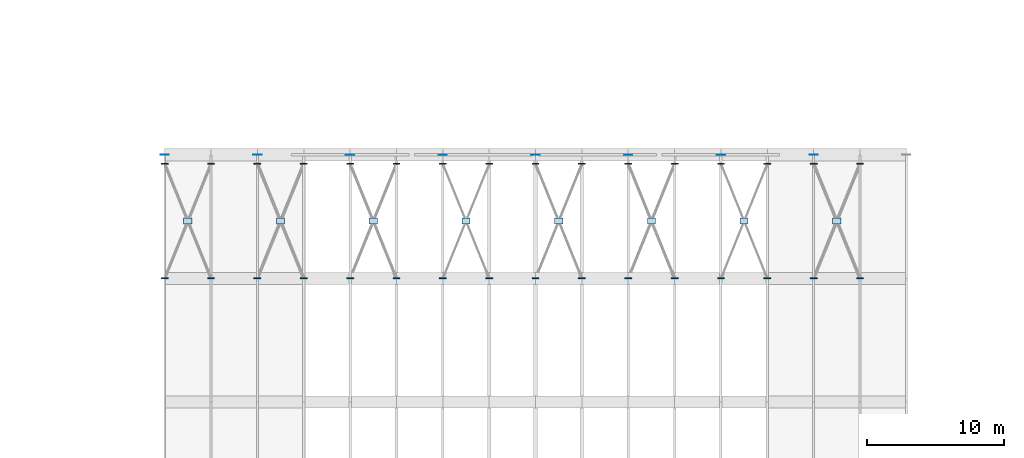
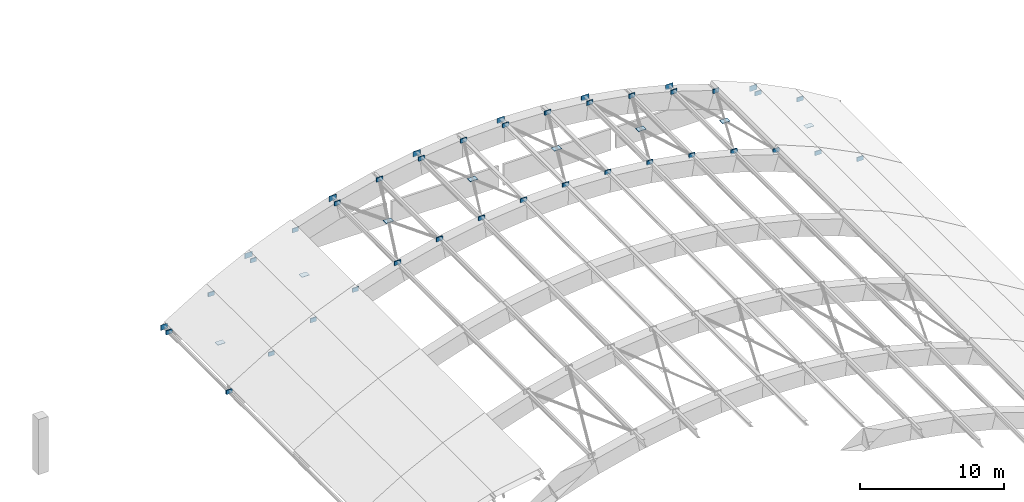
# One storey, part 21 of 30: 48 plates.
"""IFC4 building model written with IfcOpenShell, lengths in metres."""

from ifc_helpers import new_model, si_unit, direction, frame, origin, origin_2d, place, context, subcontext, project, spatial, rectangle, extrude, material, layer, layer_set, type_object, element, save


model = new_model("IFC4")

# Units and contexts
model_context = context("Model", 3, precision=1e-05, world=origin(), true_north=direction((0.0, 1.0)))
body_context = subcontext(model_context, "Body", "Model", "MODEL_VIEW")
ifc_project = project(units=[si_unit("LENGTHUNIT", "METRE"), si_unit("AREAUNIT", "SQUARE_METRE"), si_unit("VOLUMEUNIT", "CUBIC_METRE"), si_unit("PLANEANGLEUNIT", "RADIAN"), si_unit("MASSUNIT", "GRAM", prefix="KILO")], contexts=[model_context])

# Site, building, storey
site_placement = place(None, origin())
site = spatial("IfcSite", under=ifc_project, at=site_placement, CompositionType="ELEMENT")
building_placement = place(site_placement, origin())
building = spatial("IfcBuilding", under=site, at=building_placement, Name="Ornek Quay Market", CompositionType="ELEMENT")
storey_placement = place(building_placement, frame((0.0, 0.0, 12.0)))
storey = spatial("IfcBuildingStorey", under=building, at=storey_placement, Name="L03", CompositionType="ELEMENT", Elevation=12.0)

# Plates
ifc_material = material(Name="Steel S355", Category="steel")
ifc_layer_1 = layer(ifc_material, 0.02001953125, Name="Steel S355", Category="steel")
ifc_layer_set_1 = layer_set([ifc_layer_1], Name="Steel S355")
plate_type_1 = type_object("IfcPlateType", Name="PL-FLG-500x350x20", PredefinedType="USERDEFINED", material=ifc_layer_set_1)
for number, where, z_axis, x_axis, name in (
    (1, (63.0, 83.0, -3.054931640625), (0.0, 0.0, 1.0), (1.0, 0.0, 0.0), "Vault brace end connection plate CP-7011"),
    (2, (66.375, 91.35009765625, -1.01953125), (0.0, 0.0, 1.0), (1.0, 0.0, 0.0), "Vault brace end connection plate CP-7012"),
    (3, (66.375, 83.0, -1.01953125), (0.0, 0.0, 1.0), (1.0, 0.0, 0.0), "Vault brace end connection plate CP-7013"),
    (4, (63.0, 91.35009765625, -3.054931640625), (0.0, 0.0, 1.0), (1.0, 0.0, 0.0), "Vault brace end connection plate CP-7014"),
    (5, (69.75, 83.0, 0.669677734375), (0.0, 0.0, 1.0), (1.0, 0.0, 0.0), "Vault brace end connection plate CP-7031"),
    (6, (73.125, 91.35009765625, 2.05078125), (0.0, 0.0, 1.0), (1.0, 0.0, 0.0), "Vault brace end connection plate CP-7032"),
    (7, (73.125, 83.0, 2.05078125), (0.0, 0.0, 1.0), (1.0, 0.0, 0.0), "Vault brace end connection plate CP-7033"),
    (8, (69.75, 91.35009765625, 0.669677734375), (0.0, 0.0, 1.0), (1.0, 0.0, 0.0), "Vault brace end connection plate CP-7034"),
    (9, (76.5, 83.0, 3.150634765625), (0.0, 0.0, 1.0), (1.0, 0.0, 0.0), "Vault brace end connection plate CP-7051"),
    (10, (79.875, 91.35009765625, 3.988525390625), (0.0, 0.0, 1.0), (1.0, 0.0, 0.0), "Vault brace end connection plate CP-7052"),
    (11, (79.875, 83.0, 3.988525390625), (0.0, 0.0, 1.0), (1.0, 0.0, 0.0), "Vault brace end connection plate CP-7053"),
    (12, (76.5, 91.35009765625, 3.150634765625), (0.0, 0.0, 1.0), (1.0, 0.0, 0.0), "Vault brace end connection plate CP-7054"),
    (13, (83.25, 83.0, 4.578369140625), (0.0, 0.0, 1.0), (1.0, 0.0, 0.0), "Vault brace end connection plate CP-7071"),
    (14, (86.625, 91.35009765625, 4.9287109375), (0.0, 0.0, 1.0), (1.0, 0.0, 0.0), "Vault brace end connection plate CP-7072"),
    (15, (86.625, 83.0, 4.9287109375), (0.0, 0.0, 1.0), (1.0, 0.0, 0.0), "Vault brace end connection plate CP-7073"),
    (16, (83.25, 91.35009765625, 4.578369140625), (0.0, 0.0, 1.0), (1.0, 0.0, 0.0), "Vault brace end connection plate CP-7074"),
    (17, (90.0, 83.0, 5.044921875), (0.0, 0.0, 1.0), (1.0, 0.0, 0.0), "Vault brace end connection plate CP-7091"),
    (18, (93.375, 91.35009765625, 4.9287109375), (0.0, 0.0, 1.0), (1.0, 0.0, 0.0), "Vault brace end connection plate CP-7092"),
    (19, (93.375, 83.0, 4.9287109375), (0.0, 0.0, 1.0), (1.0, 0.0, 0.0), "Vault brace end connection plate CP-7093"),
    (20, (90.0, 91.35009765625, 5.044921875), (0.0, 0.0, 1.0), (1.0, 0.0, 0.0), "Vault brace end connection plate CP-7094"),
    (21, (96.75, 83.0, 4.578369140625), (0.0, 0.0, 1.0), (1.0, 0.0, 0.0), "Vault brace end connection plate CP-7111"),
    (22, (100.125, 91.35009765625, 3.988525390625), (0.0, 0.0, 1.0), (1.0, 0.0, 0.0), "Vault brace end connection plate CP-7112"),
    (23, (100.125, 83.0, 3.988525390625), (0.0, 0.0, 1.0), (1.0, 0.0, 0.0), "Vault brace end connection plate CP-7113"),
    (24, (96.75, 91.35009765625, 4.578369140625), (0.0, 0.0, 1.0), (1.0, 0.0, 0.0), "Vault brace end connection plate CP-7114"),
    (25, (103.5, 83.0, 3.150634765625), (0.0, 0.0, 1.0), (1.0, 0.0, 0.0), "Vault brace end connection plate CP-7131"),
    (26, (106.875, 91.35009765625, 2.05078125), (0.0, 0.0, 1.0), (1.0, 0.0, 0.0), "Vault brace end connection plate CP-7132"),
    (27, (106.875, 83.0, 2.05078125), (0.0, 0.0, 1.0), (1.0, 0.0, 0.0), "Vault brace end connection plate CP-7133"),
    (28, (103.5, 91.35009765625, 3.150634765625), (0.0, 0.0, 1.0), (1.0, 0.0, 0.0), "Vault brace end connection plate CP-7134"),
    (29, (110.25, 83.0, 0.669677734375), (0.0, 0.0, 1.0), (1.0, 0.0, 0.0), "Vault brace end connection plate CP-7151"),
    (30, (113.625, 91.35009765625, -1.01953125), (0.0, 0.0, 1.0), (1.0, 0.0, 0.0), "Vault brace end connection plate CP-7152"),
    (31, (113.625, 83.0, -1.01953125), (0.0, 0.0, 1.0), (1.0, 0.0, 0.0), "Vault brace end connection plate CP-7153"),
    (32, (110.25, 91.35009765625, 0.669677734375), (0.0, 0.0, 1.0), (1.0, 0.0, 0.0), "Vault brace end connection plate CP-7154"),
):
    element("IfcPlate", number, at=place(storey_placement, frame(where, z_axis=z_axis, x_axis=x_axis)), inside=storey, type_object=plate_type_1, Name=name, ObjectType="FLANGE PLATE", PredefinedType="USERDEFINED", context=body_context, shape_type="SweptSolid", body=[
        extrude(rectangle(XDim=0.5, YDim=0.080078125, at=origin_2d()), origin(), (0.0, 0.0, 1.0), 0.35009765625),
    ])
ifc_layer_2 = layer(ifc_material, 0.02490234375, Name="Steel S355", Category="steel")
ifc_layer_set_2 = layer_set([ifc_layer_2], Name="Steel S355")
plate_type_2 = type_object("IfcPlateType", Name="PL-GUS-600x450x25", PredefinedType="USERDEFINED", material=ifc_layer_set_2)
for number, where, z_axis, x_axis, name in (
    (33, (63.0, 92.0, -3.0751953125), (0.0, 0.0, 1.0), (1.0, 0.0, 0.0), "Vault gusset plate K-00"),
    (34, (69.75, 92.0, 0.64990234375), (0.0, 0.0, 1.0), (1.0, 0.0, 0.0), "Vault gusset plate K-02"),
    (35, (76.5, 92.0, 3.130859375), (0.0, 0.0, 1.0), (1.0, 0.0, 0.0), "Vault gusset plate K-04"),
    (36, (83.25, 92.0, 4.55810546875), (0.0, 0.0, 1.0), (1.0, 0.0, 0.0), "Vault gusset plate K-06"),
    (37, (90.0, 92.0, 5.02490234375), (0.0, 0.0, 1.0), (1.0, 0.0, 0.0), "Vault gusset plate K-08"),
    (38, (96.75, 92.0, 4.55810546875), (0.0, 0.0, 1.0), (1.0, 0.0, 0.0), "Vault gusset plate K-10"),
    (39, (103.5, 92.0, 3.130859375), (0.0, 0.0, 1.0), (1.0, 0.0, 0.0), "Vault gusset plate K-12"),
    (40, (110.25, 92.0, 0.64990234375), (0.0, 0.0, 1.0), (1.0, 0.0, 0.0), "Vault gusset plate K-14"),
):
    element("IfcPlate", number, at=place(storey_placement, frame(where, z_axis=z_axis, x_axis=x_axis)), inside=storey, type_object=plate_type_2, Name=name, ObjectType="GUSSET PLATE", PredefinedType="USERDEFINED", context=body_context, shape_type="SweptSolid", body=[
        extrude(rectangle(XDim=0.60009765625, YDim=0.02490234375, at=origin_2d()), origin(), (0.0, 0.0, 1.0), 0.449951171875),
    ])
for number, where, z_axis, x_axis, name in (
    (41, (64.6875, 87.175048828125, -1.874755859375), (0.0, 0.0, 1.0), (1.0, 0.0, 0.0), "Vault X-brace crossing gusset GP-X701"),
    (42, (71.4375, 87.175048828125, 1.52294921875), (0.0, 0.0, 1.0), (1.0, 0.0, 0.0), "Vault X-brace crossing gusset GP-X703"),
    (43, (78.1875, 87.175048828125, 3.732177734375), (0.0, 0.0, 1.0), (1.0, 0.0, 0.0), "Vault X-brace crossing gusset GP-X705"),
    (44, (84.9375, 87.175048828125, 4.916259765625), (0.0, 0.0, 1.0), (1.0, 0.0, 0.0), "Vault X-brace crossing gusset GP-X707"),
    (45, (91.6875, 87.175048828125, 5.1494140625), (0.0, 0.0, 1.0), (1.0, 0.0, 0.0), "Vault X-brace crossing gusset GP-X709"),
    (46, (98.4375, 87.175048828125, 4.446044921875), (0.0, 0.0, 1.0), (1.0, 0.0, 0.0), "Vault X-brace crossing gusset GP-X711"),
    (47, (105.1875, 87.175048828125, 2.76318359375), (0.0, 0.0, 1.0), (1.0, 0.0, 0.0), "Vault X-brace crossing gusset GP-X713"),
    (48, (111.9375, 87.175048828125, -0.01220703125), (0.0, 0.0, 1.0), (1.0, 0.0, 0.0), "Vault X-brace crossing gusset GP-X715"),
):
    element("IfcPlate", number, at=place(storey_placement, frame(where, z_axis=z_axis, x_axis=x_axis)), inside=storey, type_object=plate_type_2, Name=name, ObjectType="GUSSET PLATE", PredefinedType="USERDEFINED", context=body_context, shape_type="SweptSolid", body=[
        extrude(rectangle(XDim=0.60009765625, YDim=0.449951171875, at=origin_2d()), origin(), (0.0, 0.0, 1.0), 0.02490234375),
    ])

save(model, "model.ifc")
